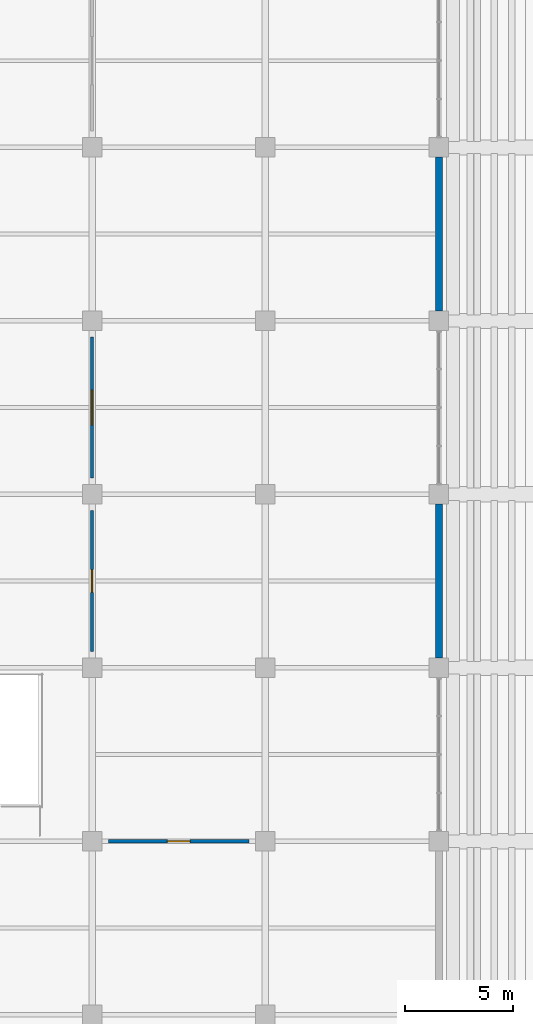
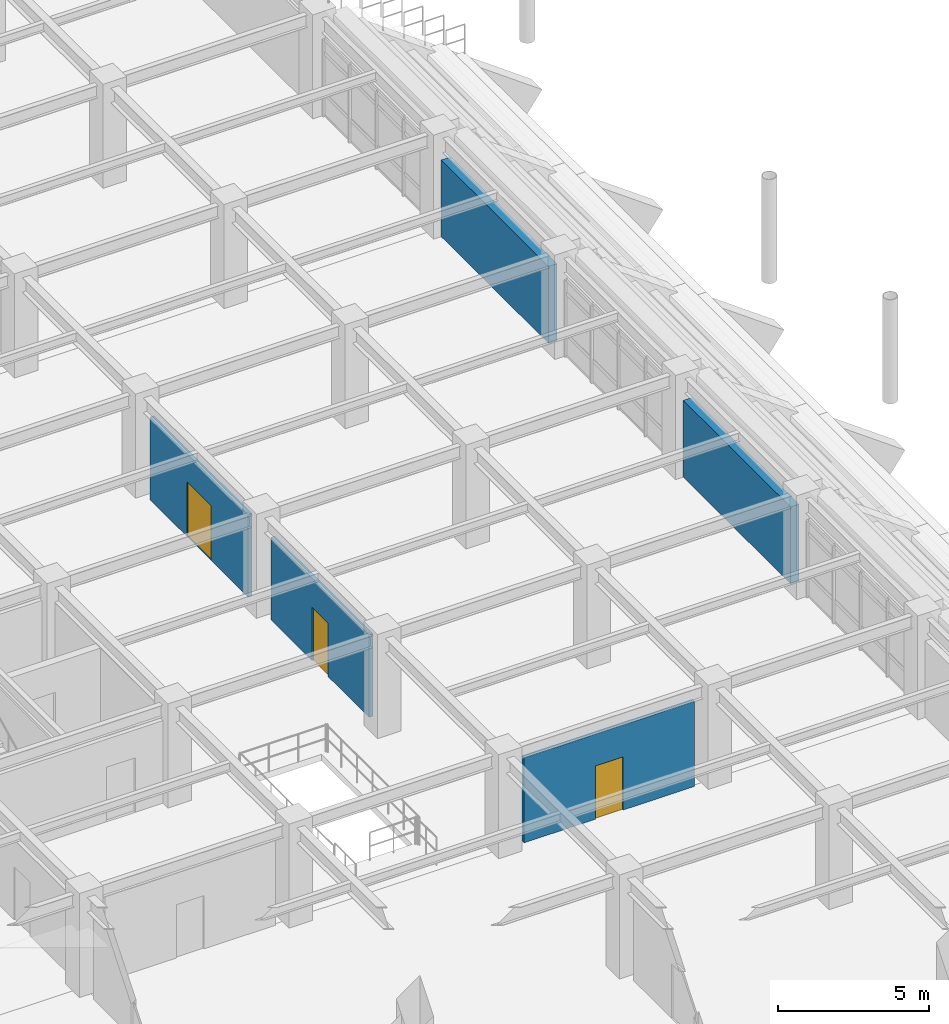
# One storey, part 89 of 118: 5 walls, 3 doors, 3 openings.
"""IFC4 building model written with IfcOpenShell, lengths in metres."""

from ifc_helpers import new_model, si_unit, direction, frame, frame_2d, origin, place, context, subcontext, project, spatial, rectangle, extrude, material, layer, layer_set, type_object, element, fill, save


model = new_model("IFC4")

# Units and contexts
model_context = context("Model", 3, precision=1e-05, world=origin(), true_north=direction((0.0, 1.0)))
body_context = subcontext(model_context, "Body", "Model", "MODEL_VIEW")
ifc_project = project(units=[si_unit("LENGTHUNIT", "METRE"), si_unit("AREAUNIT", "SQUARE_METRE"), si_unit("VOLUMEUNIT", "CUBIC_METRE"), si_unit("PLANEANGLEUNIT", "RADIAN"), si_unit("MASSUNIT", "GRAM", prefix="KILO")], contexts=[model_context])

# Site, building, storey
site_placement = place(None, origin())
site = spatial("IfcSite", under=ifc_project, at=site_placement, CompositionType="ELEMENT")
building_placement = place(site_placement, origin())
building = spatial("IfcBuilding", under=site, at=building_placement, Name="Haebicheon Civic Stadium", CompositionType="ELEMENT")
storey_placement = place(building_placement, frame((0.0, 0.0, 14.39990234375)))
storey = spatial("IfcBuildingStorey", under=building, at=storey_placement, Name="L04", CompositionType="ELEMENT", Elevation=14.39990234375)

# Walls
ifc_material_1 = material(Name="Precast concrete C40/50", Category="concrete")
ifc_layer_1 = layer(ifc_material_1, 0.320068359375, Name="Precast concrete C40/50")
ifc_layer_set_1 = layer_set([ifc_layer_1], Name="Precast concrete C40/50")
wall_type_1 = type_object("IfcWallType", Name="EW-BM-320", PredefinedType="SOLIDWALL", material=ifc_layer_set_1)
for number, where, z_axis, x_axis, name in (
    (1, (64.0, 104.449951171875, 0.0), (0.0, 0.0, 1.0), (0.0, 1.0, 0.0), "L04 board-marked concrete facade wall 08-13-E"),
    (2, (64.0, 120.449951171875, 0.0), (0.0, 0.0, 1.0), (0.0, 1.0, 0.0), "L04 board-marked concrete facade wall 08-15-E"),
):
    element("IfcWall", number, at=place(storey_placement, frame(where, z_axis=z_axis, x_axis=x_axis)), inside=storey, type_object=wall_type_1, material=ifc_layer_set_1, Name=name, PredefinedType="SOLIDWALL", context=body_context, shape_type="SweptSolid", body=[
        extrude(rectangle(XDim=7.10009765625, YDim=0.320068359375, at=frame_2d((3.550048828125, 0.0))), origin(), (0.0, 0.0, 1.0), 3.10009765625),
    ])

# Wall, opening, door
ifc_material_2 = material(Name="Gypsum plasterboard on steel studs", Category="gypsum")
ifc_layer_2 = layer(ifc_material_2, 0.14990234375, Name="Gypsum plasterboard on steel studs")
ifc_layer_set_2 = layer_set([ifc_layer_2], Name="Gypsum plasterboard on steel studs")
wall_type_2 = type_object("IfcWallType", Name="IW-PRT-150", PredefinedType="PARTITIONING", material=ifc_layer_set_2)
wall_1_placement = place(storey_placement, frame((48.0, 104.75, 0.0), z_axis=(0.0, 0.0, 1.0), x_axis=(0.0, 1.0, 0.0)))
wall_1 = element("IfcWall", 3, at=wall_1_placement, inside=storey, type_object=wall_type_2, material=ifc_layer_set_2, Name="L04 Hospitality Suite partition wall", PredefinedType="PARTITIONING", context=body_context, shape_type="SweptSolid", body=[
    extrude(rectangle(XDim=6.5, YDim=0.14990234375, at=frame_2d((3.25, 0.0))), origin(), (0.0, 0.0, 1.0), 3.330078125),
])
opening_1_placement = place(wall_1_placement, frame((2.72509765625, 0.0, 0.0)))
opening_1 = element("IfcOpeningElement", 4, at=opening_1_placement, cuts=wall_1, Name="Opening D-L04-363", PredefinedType="OPENING", context=body_context, shape_type="SweptSolid", body=[
    extrude(rectangle(XDim=1.050048828125, YDim=2.14990234375, at=frame_2d((0.52490234375, 1.074951171875))), frame((0.0, 0.0849609375, 0.0), z_axis=(0.0, -1.0, 0.0), x_axis=(1.0, 0.0, 0.0)), (0.0, 0.0, 1.0), 0.169921875),
])
ifc_material_3 = material(Name="Engineered hardwood timber", Category="wood")
door_type_1 = type_object("IfcDoorType", Name="ID-RM-1050", OperationType="NOTDEFINED", PredefinedType="DOOR", material=ifc_material_3)
door_1_placement = place(opening_1_placement, origin())
door_1 = element("IfcDoor", 5, at=door_1_placement, inside=storey, type_object=door_type_1, material=ifc_material_3, Name="L04 Hospitality Suite entrance door D-L04-363", OperationType="SINGLE_SWING_RIGHT", OverallHeight=2.14990234375, OverallWidth=1.050048828125, PredefinedType="DOOR", context=body_context, shape_type="SweptSolid", body=[
    extrude(rectangle(XDim=1.050048828125, YDim=2.14990234375, at=frame_2d((0.52490234375, 1.074951171875))), frame((0.0, 0.02490234375, 0.0), z_axis=(0.0, -1.0, 0.0), x_axis=(1.0, 0.0, 0.0)), (0.0, 0.0, 1.0), 0.050048828125),
])
fill(opening_1, door_1)

wall_2_placement = place(storey_placement, frame((48.75, 96.0, 0.0), z_axis=(0.0, 0.0, 1.0), x_axis=(1.0, 0.0, 0.0)))
wall_2 = element("IfcWall", 6, at=wall_2_placement, inside=storey, type_object=wall_type_2, material=ifc_layer_set_2, Name="L04 Hospitality Suite partition wall", PredefinedType="PARTITIONING", context=body_context, shape_type="SweptSolid", body=[
    extrude(rectangle(XDim=6.5, YDim=0.14990234375, at=frame_2d((3.25, 0.0))), origin(), (0.0, 0.0, 1.0), 3.43017578125),
])
opening_2_placement = place(wall_2_placement, frame((2.72509765625, 0.0, 0.0)))
opening_2 = element("IfcOpeningElement", 7, at=opening_2_placement, cuts=wall_2, Name="Opening D-L04-371", PredefinedType="OPENING", context=body_context, shape_type="SweptSolid", body=[
    extrude(rectangle(XDim=1.050048828125, YDim=2.14990234375, at=frame_2d((0.52490234375, 1.074951171875))), frame((0.0, 0.0849609375, 0.0), z_axis=(0.0, -1.0, 0.0), x_axis=(1.0, 0.0, 0.0)), (0.0, 0.0, 1.0), 0.169921875),
])
door_2_placement = place(opening_2_placement, origin())
door_2 = element("IfcDoor", 8, at=door_2_placement, inside=storey, type_object=door_type_1, material=ifc_material_3, Name="L04 Hospitality Suite entrance door D-L04-371", OperationType="SINGLE_SWING_RIGHT", OverallHeight=2.14990234375, OverallWidth=1.050048828125, PredefinedType="DOOR", context=body_context, shape_type="SweptSolid", body=[
    extrude(rectangle(XDim=1.050048828125, YDim=2.14990234375, at=frame_2d((0.52490234375, 1.074951171875))), frame((0.0, 0.02490234375, 0.0), z_axis=(0.0, -1.0, 0.0), x_axis=(1.0, 0.0, 0.0)), (0.0, 0.0, 1.0), 0.050048828125),
])
fill(opening_2, door_2)

wall_3_placement = place(storey_placement, frame((48.0, 112.75, 0.0), z_axis=(0.0, 0.0, 1.0), x_axis=(0.0, 1.0, 0.0)))
wall_3 = element("IfcWall", 9, at=wall_3_placement, inside=storey, type_object=wall_type_2, material=ifc_layer_set_2, Name="L04 Presidential Hospitality Lounge partition wall", PredefinedType="PARTITIONING", context=body_context, shape_type="SweptSolid", body=[
    extrude(rectangle(XDim=6.5, YDim=0.14990234375, at=frame_2d((3.25, 0.0))), origin(), (0.0, 0.0, 1.0), 3.330078125),
])
opening_3_placement = place(wall_3_placement, frame((2.449951171875, 0.0, 0.0)))
opening_3 = element("IfcOpeningElement", 10, at=opening_3_placement, cuts=wall_3, Name="Opening D-L04-372", PredefinedType="OPENING", context=body_context, shape_type="SweptSolid", body=[
    extrude(rectangle(XDim=1.60009765625, YDim=2.199951171875, at=frame_2d((0.800048828125, 1.10009765625))), frame((0.0, 0.0849609375, 0.0), z_axis=(0.0, -1.0, 0.0), x_axis=(1.0, 0.0, 0.0)), (0.0, 0.0, 1.0), 0.169921875),
])
ifc_material_4 = material(Name="Anodised aluminium and laminated glass", Category="aluminium")
door_type_2 = type_object("IfcDoorType", Name="ID-DBL-1600", OperationType="NOTDEFINED", PredefinedType="DOOR", material=ifc_material_4)
door_3_placement = place(opening_3_placement, origin())
door_3 = element("IfcDoor", 11, at=door_3_placement, inside=storey, type_object=door_type_2, material=ifc_material_4, Name="L04 Presidential Hospitality Lounge entrance door D-L04-372", OperationType="DOUBLE_SWING_LEFT", OverallHeight=2.199951171875, OverallWidth=1.60009765625, PredefinedType="DOOR", context=body_context, shape_type="SweptSolid", body=[
    extrude(rectangle(XDim=1.60009765625, YDim=2.199951171875, at=frame_2d((0.800048828125, 1.10009765625))), frame((0.0, 0.02490234375, 0.0), z_axis=(0.0, -1.0, 0.0), x_axis=(1.0, 0.0, 0.0)), (0.0, 0.0, 1.0), 0.050048828125),
])
fill(opening_3, door_3)

save(model, "model.ifc")
